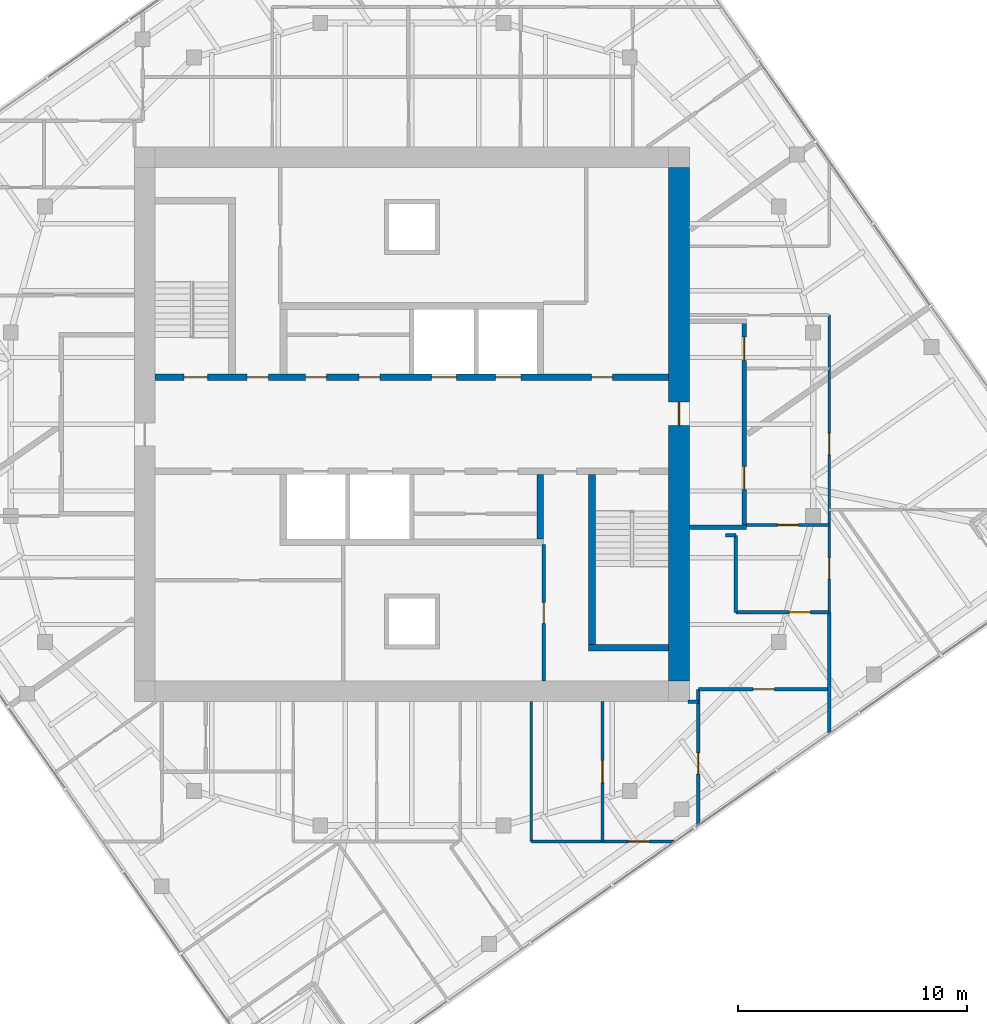
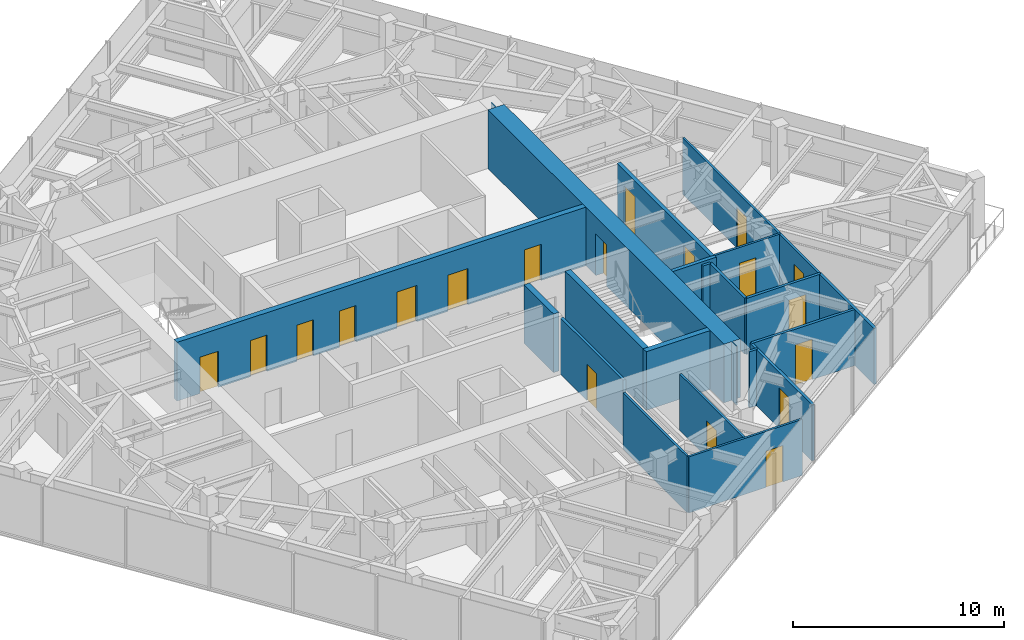
# One storey, part 9 of 13: 20 walls, 19 doors, 19 openings.
"""IFC4 building model written with IfcOpenShell, lengths in metres."""

from ifc_helpers import new_model, si_unit, direction, frame, frame_2d, origin, place, context, subcontext, project, spatial, polyline, rectangle, outline, extrude, material, layer, layer_set, type_object, element, fill, save


model = new_model("IFC4")

# Units and contexts
model_context = context("Model", 3, precision=1e-05, world=origin(), true_north=direction((0.0, 1.0)))
body_context = subcontext(model_context, "Body", "Model", "MODEL_VIEW")
ifc_project = project(units=[si_unit("LENGTHUNIT", "METRE"), si_unit("AREAUNIT", "SQUARE_METRE"), si_unit("VOLUMEUNIT", "CUBIC_METRE"), si_unit("PLANEANGLEUNIT", "RADIAN"), si_unit("MASSUNIT", "GRAM", prefix="KILO")], contexts=[model_context])

# Site, building, storey
site_placement = place(None, origin())
site = spatial("IfcSite", under=ifc_project, at=site_placement, CompositionType="ELEMENT")
building_placement = place(site_placement, origin())
building = spatial("IfcBuilding", under=site, at=building_placement, Name="Torsade Residences", CompositionType="ELEMENT")
storey_placement = place(building_placement, frame((0.0, 0.0, 260.800048828125)))
storey = spatial("IfcBuildingStorey", under=building, at=storey_placement, Name="L72", CompositionType="ELEMENT", Elevation=260.800048828125)

# Wall, openings, doors
ifc_material_1 = material(Name="Concrete 80 MPa", Category="concrete")
ifc_layer_1 = layer(ifc_material_1, 0.300048828125)
ifc_layer_set_1 = layer_set([ifc_layer_1], Name="Concrete 80 MPa")
wall_type_1 = type_object("IfcWallType", Name="CORE INTERNAL WALL 300", PredefinedType="SHEAR", material=ifc_layer_set_1)
wall_1_placement = place(storey_placement, frame((28.800048828125, 32.050048828125, 0.0), z_axis=(0.0, 0.0, 1.0), x_axis=(1.0, 0.0, 0.0)))
wall_1 = element("IfcWall", 1, at=wall_1_placement, inside=storey, type_object=wall_type_1, Name="Core wall LN L72", PredefinedType="SHEAR", context=body_context, shape_type="SweptSolid", body=[
    extrude(rectangle(XDim=22.39990234375, YDim=0.300048828125, at=frame_2d((11.199951171875, 0.0))), origin(), (0.0, 0.0, 1.0), 3.39990234375),
])
opening_1_placement = place(wall_1_placement, frame((19.0400390625, 0.0, 0.0)))
opening_1 = element("IfcOpeningElement", 2, at=opening_1_placement, cuts=wall_1, Name="Opening D06", PredefinedType="OPENING", context=body_context, shape_type="SweptSolid", body=[
    extrude(rectangle(XDim=0.919921875, YDim=2.10009765625, at=frame_2d((0.4599609375, 1.050048828125))), frame((0.0, 0.159912109375, 0.0), z_axis=(0.0, -1.0, 0.0), x_axis=(1.0, 0.0, 0.0)), (0.0, 0.0, 1.0), 0.320068359375),
])
opening_2_placement = place(wall_1_placement, frame((1.264892578125, 0.0, 0.0)))
opening_2 = element("IfcOpeningElement", 3, at=opening_2_placement, cuts=wall_1, Name="Opening D03", PredefinedType="OPENING", context=body_context, shape_type="SweptSolid", body=[
    extrude(rectangle(XDim=1.02001953125, YDim=2.10009765625, at=frame_2d((0.510009765625, 1.050048828125))), frame((0.0, 0.159912109375, 0.0), z_axis=(0.0, -1.0, 0.0), x_axis=(1.0, 0.0, 0.0)), (0.0, 0.0, 1.0), 0.320068359375),
])
opening_3_placement = place(wall_1_placement, frame((4.014892578125, 0.0, 0.0)))
opening_3 = element("IfcOpeningElement", 4, at=opening_3_placement, cuts=wall_1, Name="Opening D06", PredefinedType="OPENING", context=body_context, shape_type="SweptSolid", body=[
    extrude(rectangle(XDim=0.919921875, YDim=2.10009765625, at=frame_2d((0.4599609375, 1.050048828125))), frame((0.0, 0.159912109375, 0.0), z_axis=(0.0, -1.0, 0.0), x_axis=(1.0, 0.0, 0.0)), (0.0, 0.0, 1.0), 0.320068359375),
])
opening_4_placement = place(wall_1_placement, frame((6.56494140625, 0.0, 0.0)))
opening_4 = element("IfcOpeningElement", 5, at=opening_4_placement, cuts=wall_1, Name="Opening D06", PredefinedType="OPENING", context=body_context, shape_type="SweptSolid", body=[
    extrude(rectangle(XDim=0.919921875, YDim=2.10009765625, at=frame_2d((0.4599609375, 1.050048828125))), frame((0.0, 0.159912109375, 0.0), z_axis=(0.0, -1.0, 0.0), x_axis=(1.0, 0.0, 0.0)), (0.0, 0.0, 1.0), 0.320068359375),
])
opening_5_placement = place(wall_1_placement, frame((8.889892578125, 0.0, 0.0)))
opening_5 = element("IfcOpeningElement", 6, at=opening_5_placement, cuts=wall_1, Name="Opening D06", PredefinedType="OPENING", context=body_context, shape_type="SweptSolid", body=[
    extrude(rectangle(XDim=0.919921875, YDim=2.10009765625, at=frame_2d((0.4599609375, 1.050048828125))), frame((0.0, 0.159912109375, 0.0), z_axis=(0.0, -1.0, 0.0), x_axis=(1.0, 0.0, 0.0)), (0.0, 0.0, 1.0), 0.320068359375),
])
opening_6_placement = place(wall_1_placement, frame((12.050048828125, 0.0, 0.0)))
opening_6 = element("IfcOpeningElement", 7, at=opening_6_placement, cuts=wall_1, Name="Opening LD", PredefinedType="OPENING", context=body_context, shape_type="SweptSolid", body=[
    extrude(rectangle(XDim=1.10009765625, YDim=2.10009765625, at=frame_2d((0.550048828125, 1.050048828125))), frame((0.0, 0.159912109375, 0.0), z_axis=(0.0, -1.0, 0.0), x_axis=(1.0, 0.0, 0.0)), (0.0, 0.0, 1.0), 0.320068359375),
])
opening_7_placement = place(wall_1_placement, frame((14.85009765625, 0.0, 0.0)))
opening_7 = element("IfcOpeningElement", 8, at=opening_7_placement, cuts=wall_1, Name="Opening LD", PredefinedType="OPENING", context=body_context, shape_type="SweptSolid", body=[
    extrude(rectangle(XDim=1.10009765625, YDim=2.10009765625, at=frame_2d((0.550048828125, 1.050048828125))), frame((0.0, 0.159912109375, 0.0), z_axis=(0.0, -1.0, 0.0), x_axis=(1.0, 0.0, 0.0)), (0.0, 0.0, 1.0), 0.320068359375),
])
ifc_material_2 = material(Name="Steel-framed fire door", Category="steel")
door_type_1 = type_object("IfcDoorType", Name="FIRE DOOR 1020", OperationType="NOTDEFINED", PredefinedType="DOOR", material=ifc_material_2)
door_1_placement = place(opening_2_placement, origin())
door_1 = element("IfcDoor", 9, at=door_1_placement, inside=storey, type_object=door_type_1, Name="Exit door to fire-isolated stair ST1 L72", OperationType="SINGLE_SWING_RIGHT", OverallHeight=2.10009765625, OverallWidth=1.02001953125, PredefinedType="DOOR", context=body_context, shape_type="SweptSolid", body=[
    extrude(rectangle(XDim=1.02001953125, YDim=2.10009765625, at=frame_2d((0.510009765625, 1.050048828125))), frame((0.0, 0.02490234375, 0.0), z_axis=(0.0, -1.0, 0.0), x_axis=(1.0, 0.0, 0.0)), (0.0, 0.0, 1.0), 0.050048828125),
])
fill(opening_2, door_1)
ifc_material_3 = material(Name="Steel-framed fire door", Category="steel")
door_type_2 = type_object("IfcDoorType", Name="FIRE DOOR 920", OperationType="NOTDEFINED", PredefinedType="DOOR", material=ifc_material_3)
door_2_placement = place(opening_1_placement, origin())
door_2 = element("IfcDoor", 10, at=door_2_placement, inside=storey, type_object=door_type_2, Name="Door Lift lobby to Refuse room", OperationType="SINGLE_SWING_LEFT", OverallHeight=2.10009765625, OverallWidth=0.919921875, PredefinedType="DOOR", context=body_context, shape_type="SweptSolid", body=[
    extrude(rectangle(XDim=0.919921875, YDim=2.10009765625, at=frame_2d((0.4599609375, 1.050048828125))), frame((0.0, 0.02490234375, 0.0), z_axis=(0.0, -1.0, 0.0), x_axis=(1.0, 0.0, 0.0)), (0.0, 0.0, 1.0), 0.050048828125),
])
fill(opening_1, door_2)
door_3_placement = place(opening_3_placement, origin())
door_3 = element("IfcDoor", 11, at=door_3_placement, inside=storey, type_object=door_type_2, Name="Door Lift lobby to Meter store", OperationType="SINGLE_SWING_LEFT", OverallHeight=2.10009765625, OverallWidth=0.919921875, PredefinedType="DOOR", context=body_context, shape_type="SweptSolid", body=[
    extrude(rectangle(XDim=0.919921875, YDim=2.10009765625, at=frame_2d((0.4599609375, 1.050048828125))), frame((0.0, 0.02490234375, 0.0), z_axis=(0.0, -1.0, 0.0), x_axis=(1.0, 0.0, 0.0)), (0.0, 0.0, 1.0), 0.050048828125),
])
fill(opening_3, door_3)
door_4_placement = place(opening_4_placement, origin())
door_4 = element("IfcDoor", 12, at=door_4_placement, inside=storey, type_object=door_type_2, Name="Door Lift lobby to Residents storage L72A", OperationType="SINGLE_SWING_RIGHT", OverallHeight=2.10009765625, OverallWidth=0.919921875, PredefinedType="DOOR", context=body_context, shape_type="SweptSolid", body=[
    extrude(rectangle(XDim=0.919921875, YDim=2.10009765625, at=frame_2d((0.4599609375, 1.050048828125))), frame((0.0, 0.02490234375, 0.0), z_axis=(0.0, -1.0, 0.0), x_axis=(1.0, 0.0, 0.0)), (0.0, 0.0, 1.0), 0.050048828125),
])
fill(opening_4, door_4)
door_5_placement = place(opening_5_placement, origin())
door_5 = element("IfcDoor", 13, at=door_5_placement, inside=storey, type_object=door_type_2, Name="Door Lift lobby to Residents storage L72A", OperationType="SINGLE_SWING_LEFT", OverallHeight=2.10009765625, OverallWidth=0.919921875, PredefinedType="DOOR", context=body_context, shape_type="SweptSolid", body=[
    extrude(rectangle(XDim=0.919921875, YDim=2.10009765625, at=frame_2d((0.4599609375, 1.050048828125))), frame((0.0, 0.02490234375, 0.0), z_axis=(0.0, -1.0, 0.0), x_axis=(1.0, 0.0, 0.0)), (0.0, 0.0, 1.0), 0.050048828125),
])
fill(opening_5, door_5)
ifc_material_4 = material(Name="Stainless steel lift landing door", Category="steel")
door_type_3 = type_object("IfcDoorType", Name="LIFT LANDING DOOR 1100", OperationType="SLIDING_TO_LEFT", PredefinedType="DOOR", material=ifc_material_4)
door_6_placement = place(opening_6_placement, origin())
door_6 = element("IfcDoor", 14, at=door_6_placement, inside=storey, type_object=door_type_3, Name="Lift LA3 landing door L72", OperationType="SLIDING_TO_LEFT", OverallHeight=2.10009765625, OverallWidth=1.10009765625, PredefinedType="DOOR", context=body_context, shape_type="SweptSolid", body=[
    extrude(rectangle(XDim=1.10009765625, YDim=2.10009765625, at=frame_2d((0.550048828125, 1.050048828125))), frame((0.0, 0.02490234375, 0.0), z_axis=(0.0, -1.0, 0.0), x_axis=(1.0, 0.0, 0.0)), (0.0, 0.0, 1.0), 0.050048828125),
])
fill(opening_6, door_6)
door_7_placement = place(opening_7_placement, origin())
door_7 = element("IfcDoor", 15, at=door_7_placement, inside=storey, type_object=door_type_3, Name="Lift FL1 landing door L72", OperationType="SLIDING_TO_LEFT", OverallHeight=2.10009765625, OverallWidth=1.10009765625, PredefinedType="DOOR", context=body_context, shape_type="SweptSolid", body=[
    extrude(rectangle(XDim=1.10009765625, YDim=2.10009765625, at=frame_2d((0.550048828125, 1.050048828125))), frame((0.0, 0.02490234375, 0.0), z_axis=(0.0, -1.0, 0.0), x_axis=(1.0, 0.0, 0.0)), (0.0, 0.0, 1.0), 0.050048828125),
])
fill(opening_7, door_7)

# Walls
wall_2_placement = place(storey_placement, frame((45.60009765625, 27.800048828125, 0.0), z_axis=(0.0, 0.0, 1.0), x_axis=(0.0, -1.0, 0.0)))
element("IfcWall", 16, at=wall_2_placement, inside=storey, type_object=wall_type_1, Name="Core wall DS0 L72", PredefinedType="SHEAR", context=body_context, shape_type="SweptSolid", body=[
    extrude(rectangle(XDim=2.800048828125, YDim=0.300048828125, at=frame_2d((1.39990234375, 0.0))), origin(), (0.0, 0.0, 1.0), 3.39990234375),
])
wall_3_placement = place(storey_placement, frame((47.85009765625, 27.800048828125, 0.0), z_axis=(0.0, 0.0, 1.0), x_axis=(0.0, -1.0, 0.0)))
element("IfcWall", 17, at=wall_3_placement, inside=storey, type_object=wall_type_1, Name="Core wall ST2W L72", PredefinedType="SHEAR", context=body_context, shape_type="SweptSolid", body=[
    extrude(rectangle(XDim=7.699951171875, YDim=0.300048828125, at=frame_2d((3.85009765625, 0.0))), origin(), (0.0, 0.0, 1.0), 3.39990234375),
])
wall_4_placement = place(storey_placement, frame((51.199951171875, 20.25, 0.0), z_axis=(0.0, 0.0, 1.0), x_axis=(-1.0, 0.0, 0.0)))
element("IfcWall", 18, at=wall_4_placement, inside=storey, type_object=wall_type_1, Name="Core wall ST2S L72", PredefinedType="SHEAR", context=body_context, shape_type="SweptSolid", body=[
    extrude(rectangle(XDim=3.5, YDim=0.300048828125, at=frame_2d((1.75, 0.0))), origin(), (0.0, 0.0, 1.0), 3.39990234375),
])

# Wall, opening, door
ifc_material_5 = material(Name="Concrete 80 MPa", Category="concrete")
ifc_layer_2 = layer(ifc_material_5, 0.89990234375)
ifc_layer_set_2 = layer_set([ifc_layer_2], Name="Concrete 80 MPa")
wall_type_2 = type_object("IfcWallType", Name="CORE WALL 900", PredefinedType="SHEAR", material=ifc_layer_set_2)
wall_5_placement = place(storey_placement, frame((51.64990234375, 18.800048828125, 0.0), z_axis=(0.0, 0.0, 1.0), x_axis=(0.0, 1.0, 0.0)))
wall_5 = element("IfcWall", 19, at=wall_5_placement, inside=storey, type_object=wall_type_2, Name="Core wall E L72", PredefinedType="SHEAR", context=body_context, shape_type="SweptSolid", body=[
    extrude(outline(polyline([(0.0, -0.449951171875), (22.39990234375, -0.449951171875), (22.39990234375, -0.02490234375), (22.849853515625, -0.02490234375), (22.849853515625, 0.02490234375), (22.39990234375, 0.02490234375), (22.39990234375, 0.449951171875), (0.0, 0.449951171875), (0.0, 0.02490234375), (-0.449951171875, 0.02490234375), (-0.449951171875, -0.02490234375), (0.0, -0.02490234375), (0.0, -0.449951171875)])), origin(), (0.0, 0.0, 1.0), 3.39990234375),
])
opening_8_placement = place(wall_5_placement, frame((11.139892578125, 0.0, 0.0)))
opening_8 = element("IfcOpeningElement", 20, at=opening_8_placement, cuts=wall_5, Name="Opening D04", PredefinedType="OPENING", context=body_context, shape_type="SweptSolid", body=[
    extrude(rectangle(XDim=1.02001953125, YDim=2.39990234375, at=frame_2d((0.510009765625, 1.199951171875))), frame((0.0, 0.4599609375, 0.0), z_axis=(0.0, -1.0, 0.0), x_axis=(1.0, 0.0, 0.0)), (0.0, 0.0, 1.0), 0.919921875),
])
ifc_material_6 = material(Name="Steel-framed fire door", Category="steel")
door_type_4 = type_object("IfcDoorType", Name="LOBBY SMOKE DOOR 1020x2400", OperationType="NOTDEFINED", PredefinedType="DOOR", material=ifc_material_6)
door_8_placement = place(opening_8_placement, origin())
door_8 = element("IfcDoor", 21, at=door_8_placement, inside=storey, type_object=door_type_4, Name="Lift lobby door E L72", OperationType="SINGLE_SWING_LEFT", OverallHeight=2.39990234375, OverallWidth=1.02001953125, PredefinedType="DOOR", context=body_context, shape_type="SweptSolid", body=[
    extrude(rectangle(XDim=1.02001953125, YDim=2.39990234375, at=frame_2d((0.510009765625, 1.199951171875))), frame((0.0, 0.02490234375, 0.0), z_axis=(0.0, -1.0, 0.0), x_axis=(1.0, 0.0, 0.0)), (0.0, 0.0, 1.0), 0.050048828125),
])
fill(opening_8, door_8)

# Wall, openings, doors
ifc_material_7 = material(Name="Plasterboard on steel stud", Category="steel")
ifc_layer_3 = layer(ifc_material_7, 0.199951171875)
ifc_layer_set_3 = layer_set([ifc_layer_3], Name="Plasterboard on steel stud")
wall_type_3 = type_object("IfcWallType", Name="CORRIDOR WALL 200", PredefinedType="PARTITIONING", material=ifc_layer_set_3)
wall_6_placement = place(storey_placement, frame((54.5, 25.5, 0.0), z_axis=(0.0, 0.0, 1.0), x_axis=(0.0, 1.0, 0.0)))
wall_6 = element("IfcWall", 22, at=wall_6_placement, inside=storey, type_object=wall_type_3, Name="Corridor wall L72", PredefinedType="PARTITIONING", context=body_context, shape_type="SweptSolid", body=[
    extrude(rectangle(XDim=9.0, YDim=0.199951171875, at=frame_2d((4.5, 0.0))), origin(), (0.0, 0.0, 1.0), 3.25),
])
opening_9_placement = place(wall_6_placement, frame((1.643310546875, 0.0, 0.0)))
opening_9 = element("IfcOpeningElement", 23, at=opening_9_placement, cuts=wall_6, Name="Opening D01", PredefinedType="OPENING", context=body_context, shape_type="SweptSolid", body=[
    extrude(rectangle(XDim=1.02001953125, YDim=2.340087890625, at=frame_2d((0.510009765625, 1.169921875))), frame((0.0, 0.10986328125, 0.0), z_axis=(0.0, -1.0, 0.0), x_axis=(1.0, 0.0, 0.0)), (0.0, 0.0, 1.0), 0.219970703125),
])
opening_10_placement = place(wall_6_placement, frame((7.2822265625, 0.0, 0.0)))
opening_10 = element("IfcOpeningElement", 24, at=opening_10_placement, cuts=wall_6, Name="Opening D01", PredefinedType="OPENING", context=body_context, shape_type="SweptSolid", body=[
    extrude(rectangle(XDim=1.02001953125, YDim=2.340087890625, at=frame_2d((0.510009765625, 1.169921875))), frame((0.0, 0.10986328125, 0.0), z_axis=(0.0, -1.0, 0.0), x_axis=(1.0, 0.0, 0.0)), (0.0, 0.0, 1.0), 0.219970703125),
])
ifc_material_8 = material(Name="Solid-core timber fire door", Category="wood")
door_type_5 = type_object("IfcDoorType", Name="APARTMENT ENTRY DOOR 1020x2340", OperationType="NOTDEFINED", PredefinedType="DOOR", material=ifc_material_8)
door_9_placement = place(opening_9_placement, origin())
door_9 = element("IfcDoor", 25, at=door_9_placement, inside=storey, type_object=door_type_5, Name="Door Residential corridor to Kitchen and dining", OperationType="SINGLE_SWING_LEFT", OverallHeight=2.340087890625, OverallWidth=1.02001953125, PredefinedType="DOOR", context=body_context, shape_type="SweptSolid", body=[
    extrude(rectangle(XDim=1.02001953125, YDim=2.340087890625, at=frame_2d((0.510009765625, 1.169921875))), frame((0.0, 0.02490234375, 0.0), z_axis=(0.0, -1.0, 0.0), x_axis=(1.0, 0.0, 0.0)), (0.0, 0.0, 1.0), 0.050048828125),
])
fill(opening_9, door_9)
door_10_placement = place(opening_10_placement, origin())
door_10 = element("IfcDoor", 26, at=door_10_placement, inside=storey, type_object=door_type_5, Name="Door Residential corridor to Kitchen and dining", OperationType="SINGLE_SWING_RIGHT", OverallHeight=2.340087890625, OverallWidth=1.02001953125, PredefinedType="DOOR", context=body_context, shape_type="SweptSolid", body=[
    extrude(rectangle(XDim=1.02001953125, YDim=2.340087890625, at=frame_2d((0.510009765625, 1.169921875))), frame((0.0, 0.02490234375, 0.0), z_axis=(0.0, -1.0, 0.0), x_axis=(1.0, 0.0, 0.0)), (0.0, 0.0, 1.0), 0.050048828125),
])
fill(opening_10, door_10)

# Wall
wall_7_placement = place(storey_placement, frame((52.10009765625, 25.5, 0.0), z_axis=(0.0, 0.0, 1.0), x_axis=(1.0, 0.0, 0.0)))
element("IfcWall", 27, at=wall_7_placement, inside=storey, type_object=wall_type_3, Name="Corridor wall L72", PredefinedType="PARTITIONING", context=body_context, shape_type="SweptSolid", body=[
    extrude(rectangle(XDim=2.5, YDim=0.199951171875, at=frame_2d((1.25, 0.0))), origin(), (0.0, 0.0, 1.0), 3.25),
])

# Wall, opening, door
ifc_material_9 = material(Name="Plasterboard on steel stud", Category="steel")
ifc_layer_4 = layer(ifc_material_9, 0.1201171875)
ifc_layer_set_4 = layer_set([ifc_layer_4], Name="Plasterboard on steel stud")
wall_type_4 = type_object("IfcWallType", Name="PARTITION 120", PredefinedType="PARTITIONING", material=ifc_layer_set_4)
wall_8_placement = place(storey_placement, frame((58.199951171875, 25.602783203125, 0.0), z_axis=(0.0, 0.0, 1.0), x_axis=(-1.0, 0.0, 0.0)))
wall_8 = element("IfcWall", 28, at=wall_8_placement, inside=storey, type_object=wall_type_4, Name="Partition L72", PredefinedType="PARTITIONING", context=body_context, shape_type="SweptSolid", body=[
    extrude(rectangle(XDim=3.599853515625, YDim=0.1201171875, at=frame_2d((1.7998046875, 0.0))), origin(), (0.0, 0.0, 1.0), 3.25),
])
opening_11_placement = place(wall_8_placement, frame((1.340087890625, 0.0, 0.0)))
opening_11 = element("IfcOpeningElement", 29, at=opening_11_placement, cuts=wall_8, Name="Opening D02", PredefinedType="OPENING", context=body_context, shape_type="SweptSolid", body=[
    extrude(rectangle(XDim=0.919921875, YDim=2.340087890625, at=frame_2d((0.4599609375, 1.169921875))), frame((0.0, 0.070068359375, 0.0), z_axis=(0.0, -1.0, 0.0), x_axis=(1.0, 0.0, 0.0)), (0.0, 0.0, 1.0), 0.14013671875),
])
ifc_material_10 = material(Name="Hollow-core timber door", Category="wood")
door_type_6 = type_object("IfcDoorType", Name="INTERNAL DOOR 920x2340", OperationType="NOTDEFINED", PredefinedType="DOOR", material=ifc_material_10)
door_11_placement = place(opening_11_placement, origin())
door_11 = element("IfcDoor", 30, at=door_11_placement, inside=storey, type_object=door_type_6, Name="Door Kitchen and dining to Walk-in robe", OperationType="SINGLE_SWING_LEFT", OverallHeight=2.340087890625, OverallWidth=0.919921875, PredefinedType="DOOR", context=body_context, shape_type="SweptSolid", body=[
    extrude(rectangle(XDim=0.919921875, YDim=2.340087890625, at=frame_2d((0.4599609375, 1.169921875))), frame((0.0, 0.02490234375, 0.0), z_axis=(0.0, -1.0, 0.0), x_axis=(1.0, 0.0, 0.0)), (0.0, 0.0, 1.0), 0.050048828125),
])
fill(opening_11, door_11)

# Wall, openings, doors
wall_9_placement = place(storey_placement, frame((58.199951171875, 34.760009765625, 0.0), z_axis=(0.0, 0.0, 1.0), x_axis=(0.0, -1.0, 0.0)))
wall_9 = element("IfcWall", 31, at=wall_9_placement, inside=storey, type_object=wall_type_4, Name="Partition L72", PredefinedType="PARTITIONING", context=body_context, shape_type="SweptSolid", body=[
    extrude(rectangle(XDim=12.9638671875, YDim=0.1201171875, at=frame_2d((6.48193359375, 0.0))), origin(), (0.0, 0.0, 1.0), 3.25),
])
opening_12_placement = place(wall_9_placement, frame((5.16162109375, 0.0, 0.0)))
opening_12 = element("IfcOpeningElement", 32, at=opening_12_placement, cuts=wall_9, Name="Opening D02", PredefinedType="OPENING", context=body_context, shape_type="SweptSolid", body=[
    extrude(rectangle(XDim=0.919921875, YDim=2.340087890625, at=frame_2d((0.4599609375, 1.169921875))), frame((0.0, 0.070068359375, 0.0), z_axis=(0.0, -1.0, 0.0), x_axis=(1.0, 0.0, 0.0)), (0.0, 0.0, 1.0), 0.14013671875),
])
opening_13_placement = place(wall_9_placement, frame((10.600341796875, 0.0, 0.0)))
opening_13 = element("IfcOpeningElement", 33, at=opening_13_placement, cuts=wall_9, Name="Opening D02", PredefinedType="OPENING", context=body_context, shape_type="SweptSolid", body=[
    extrude(rectangle(XDim=0.919921875, YDim=2.340087890625, at=frame_2d((0.4599609375, 1.169921875))), frame((0.0, 0.070068359375, 0.0), z_axis=(0.0, -1.0, 0.0), x_axis=(1.0, 0.0, 0.0)), (0.0, 0.0, 1.0), 0.14013671875),
])
door_12_placement = place(opening_12_placement, origin())
door_12 = element("IfcDoor", 34, at=door_12_placement, inside=storey, type_object=door_type_6, Name="Door Kitchen and dining to Living room", OperationType="SINGLE_SWING_RIGHT", OverallHeight=2.340087890625, OverallWidth=0.919921875, PredefinedType="DOOR", context=body_context, shape_type="SweptSolid", body=[
    extrude(rectangle(XDim=0.919921875, YDim=2.340087890625, at=frame_2d((0.4599609375, 1.169921875))), frame((0.0, 0.02490234375, 0.0), z_axis=(0.0, -1.0, 0.0), x_axis=(1.0, 0.0, 0.0)), (0.0, 0.0, 1.0), 0.050048828125),
])
fill(opening_12, door_12)
door_13_placement = place(opening_13_placement, origin())
door_13 = element("IfcDoor", 35, at=door_13_placement, inside=storey, type_object=door_type_6, Name="Door Walk-in robe to Bedroom 4", OperationType="SINGLE_SWING_LEFT", OverallHeight=2.340087890625, OverallWidth=0.919921875, PredefinedType="DOOR", context=body_context, shape_type="SweptSolid", body=[
    extrude(rectangle(XDim=0.919921875, YDim=2.340087890625, at=frame_2d((0.4599609375, 1.169921875))), frame((0.0, 0.02490234375, 0.0), z_axis=(0.0, -1.0, 0.0), x_axis=(1.0, 0.0, 0.0)), (0.0, 0.0, 1.0), 0.050048828125),
])
fill(opening_13, door_13)

# Wall, opening, door
wall_10_placement = place(storey_placement, frame((48.311279296875, 17.89990234375, 0.0), z_axis=(0.0, 0.0, 1.0), x_axis=(0.0, -1.0, 0.0)))
wall_10 = element("IfcWall", 36, at=wall_10_placement, inside=storey, type_object=wall_type_4, Name="Partition L72", PredefinedType="PARTITIONING", context=body_context, shape_type="SweptSolid", body=[
    extrude(rectangle(XDim=6.099853515625, YDim=0.1201171875, at=frame_2d((3.0498046875, 0.0))), origin(), (0.0, 0.0, 1.0), 3.25),
])
opening_14_placement = place(wall_10_placement, frame((2.570068359375, 0.0, 0.0)))
opening_14 = element("IfcOpeningElement", 37, at=opening_14_placement, cuts=wall_10, Name="Opening D05", PredefinedType="OPENING", context=body_context, shape_type="SweptSolid", body=[
    extrude(rectangle(XDim=0.9599609375, YDim=2.10009765625, at=frame_2d((0.47998046875, 1.050048828125))), frame((0.0, 0.070068359375, 0.0), z_axis=(0.0, -1.0, 0.0), x_axis=(1.0, 0.0, 0.0)), (0.0, 0.0, 1.0), 0.14013671875),
])
ifc_material_11 = material(Name="Hollow-core timber door in a steel cavity frame", Category="steel")
door_type_7 = type_object("IfcDoorType", Name="BATHROOM CAVITY SLIDING DOOR 960", OperationType="SLIDING_TO_LEFT", PredefinedType="DOOR", material=ifc_material_11)
door_14_placement = place(opening_14_placement, origin())
door_14 = element("IfcDoor", 38, at=door_14_placement, inside=storey, type_object=door_type_7, Name="Door Study to Laundry", OperationType="SLIDING_TO_LEFT", OverallHeight=2.10009765625, OverallWidth=0.9599609375, PredefinedType="DOOR", context=body_context, shape_type="SweptSolid", body=[
    extrude(rectangle(XDim=0.9599609375, YDim=2.10009765625, at=frame_2d((0.47998046875, 1.050048828125))), frame((0.0, 0.02490234375, 0.0), z_axis=(0.0, -1.0, 0.0), x_axis=(1.0, 0.0, 0.0)), (0.0, 0.0, 1.0), 0.050048828125),
])
fill(opening_14, door_14)

wall_11_placement = place(storey_placement, frame((51.422119140625, 11.800048828125, 0.0), z_axis=(0.0, 0.0, 1.0), x_axis=(-1.0, 0.0, 0.0)))
wall_11 = element("IfcWall", 39, at=wall_11_placement, inside=storey, type_object=wall_type_4, Name="Partition L72", PredefinedType="PARTITIONING", context=body_context, shape_type="SweptSolid", body=[
    extrude(rectangle(XDim=6.212646484375, YDim=0.1201171875, at=frame_2d((3.1064453125, 0.0))), origin(), (0.0, 0.0, 1.0), 3.25),
])
opening_15_placement = place(wall_11_placement, frame((1.060546875, 0.0, 0.0)))
opening_15 = element("IfcOpeningElement", 40, at=opening_15_placement, cuts=wall_11, Name="Opening D02L", PredefinedType="OPENING", context=body_context, shape_type="SweptSolid", body=[
    extrude(rectangle(XDim=0.919921875, YDim=2.10009765625, at=frame_2d((0.4599609375, 1.050048828125))), frame((0.0, 0.070068359375, 0.0), z_axis=(0.0, -1.0, 0.0), x_axis=(1.0, 0.0, 0.0)), (0.0, 0.0, 1.0), 0.14013671875),
])
ifc_material_12 = material(Name="Hollow-core timber door", Category="wood")
door_type_8 = type_object("IfcDoorType", Name="INTERNAL DOOR 920x2100", OperationType="NOTDEFINED", PredefinedType="DOOR", material=ifc_material_12)
door_15_placement = place(opening_15_placement, origin())
door_15 = element("IfcDoor", 41, at=door_15_placement, inside=storey, type_object=door_type_8, Name="Door Study to Media room", OperationType="SINGLE_SWING_RIGHT", OverallHeight=2.10009765625, OverallWidth=0.919921875, PredefinedType="DOOR", context=body_context, shape_type="SweptSolid", body=[
    extrude(rectangle(XDim=0.919921875, YDim=2.10009765625, at=frame_2d((0.4599609375, 1.050048828125))), frame((0.0, 0.02490234375, 0.0), z_axis=(0.0, -1.0, 0.0), x_axis=(1.0, 0.0, 0.0)), (0.0, 0.0, 1.0), 0.050048828125),
])
fill(opening_15, door_15)

# Wall
wall_12_placement = place(storey_placement, frame((45.20947265625, 11.800048828125, 0.0), z_axis=(0.0, 0.0, 1.0), x_axis=(0.0, 1.0, 0.0)))
element("IfcWall", 42, at=wall_12_placement, inside=storey, type_object=wall_type_4, Name="Partition L72", PredefinedType="PARTITIONING", context=body_context, shape_type="SweptSolid", body=[
    extrude(rectangle(XDim=6.099853515625, YDim=0.1201171875, at=frame_2d((3.0498046875, 0.0))), origin(), (0.0, 0.0, 1.0), 3.25),
])

# Wall, opening, door
ifc_material_13 = material(Name="Reinforced blockwork", Category="masonry")
ifc_layer_5 = layer(ifc_material_13, 0.14990234375)
ifc_layer_set_5 = layer_set([ifc_layer_5], Name="Reinforced blockwork")
wall_type_5 = type_object("IfcWallType", Name="SERVICE ROOM WALL 150", PredefinedType="SOLIDWALL", material=ifc_layer_set_5)
wall_13_placement = place(storey_placement, frame((45.75, 18.800048828125, 0.0), z_axis=(0.0, 0.0, 1.0), x_axis=(0.0, 1.0, 0.0)))
wall_13 = element("IfcWall", 43, at=wall_13_placement, inside=storey, type_object=wall_type_5, Name="Service room wall L72", PredefinedType="SOLIDWALL", context=body_context, shape_type="SweptSolid", body=[
    extrude(rectangle(XDim=5.949951171875, YDim=0.14990234375, at=frame_2d((2.97509765625, 0.0))), origin(), (0.0, 0.0, 1.0), 3.25),
])
opening_16_placement = place(wall_13_placement, frame((2.514892578125, 0.0, 0.0)))
opening_16 = element("IfcOpeningElement", 44, at=opening_16_placement, cuts=wall_13, Name="Opening D06", PredefinedType="OPENING", context=body_context, shape_type="SweptSolid", body=[
    extrude(rectangle(XDim=0.919921875, YDim=2.10009765625, at=frame_2d((0.4599609375, 1.050048828125))), frame((0.0, 0.0849609375, 0.0), z_axis=(0.0, -1.0, 0.0), x_axis=(1.0, 0.0, 0.0)), (0.0, 0.0, 1.0), 0.169921875),
])
door_16_placement = place(opening_16_placement, origin())
door_16 = element("IfcDoor", 45, at=door_16_placement, inside=storey, type_object=door_type_2, Name="Door Communications equipment store to Communications riser room", OperationType="SINGLE_SWING_LEFT", OverallHeight=2.10009765625, OverallWidth=0.919921875, PredefinedType="DOOR", context=body_context, shape_type="SweptSolid", body=[
    extrude(rectangle(XDim=0.919921875, YDim=2.10009765625, at=frame_2d((0.4599609375, 1.050048828125))), frame((0.0, 0.02490234375, 0.0), z_axis=(0.0, -1.0, 0.0), x_axis=(1.0, 0.0, 0.0)), (0.0, 0.0, 1.0), 0.050048828125),
])
fill(opening_16, door_16)

wall_14_placement = place(storey_placement, frame((52.494140625, 18.439208984375, 0.0), z_axis=(0.0, 0.0, 1.0), x_axis=(0.0, -1.0, 0.0)))
wall_14 = element("IfcWall", 46, at=wall_14_placement, inside=storey, type_object=wall_type_5, Name="Service room wall L72", PredefinedType="SOLIDWALL", context=body_context, shape_type="SweptSolid", body=[
    extrude(rectangle(XDim=5.888427734375, YDim=0.14990234375, at=frame_2d((2.9443359375, 0.0))), origin(), (0.0, 0.0, 1.0), 3.25),
])
opening_17_placement = place(wall_14_placement, frame((2.7783203125, 0.0, 0.0)))
opening_17 = element("IfcOpeningElement", 47, at=opening_17_placement, cuts=wall_14, Name="Opening D02", PredefinedType="OPENING", context=body_context, shape_type="SweptSolid", body=[
    extrude(rectangle(XDim=0.919921875, YDim=2.340087890625, at=frame_2d((0.4599609375, 1.169921875))), frame((0.0, 0.0849609375, 0.0), z_axis=(0.0, -1.0, 0.0), x_axis=(1.0, 0.0, 0.0)), (0.0, 0.0, 1.0), 0.169921875),
])
door_17_placement = place(opening_17_placement, origin())
door_17 = element("IfcDoor", 48, at=door_17_placement, inside=storey, type_object=door_type_6, Name="Door Linen store 3 to Study", OperationType="SINGLE_SWING_LEFT", OverallHeight=2.340087890625, OverallWidth=0.919921875, PredefinedType="DOOR", context=body_context, shape_type="SweptSolid", body=[
    extrude(rectangle(XDim=0.919921875, YDim=2.340087890625, at=frame_2d((0.4599609375, 1.169921875))), frame((0.0, 0.02490234375, 0.0), z_axis=(0.0, -1.0, 0.0), x_axis=(1.0, 0.0, 0.0)), (0.0, 0.0, 1.0), 0.050048828125),
])
fill(opening_17, door_17)

# Walls
wall_15_placement = place(storey_placement, frame((52.050048828125, 17.89990234375, 0.0), z_axis=(0.0, 0.0, 1.0), x_axis=(1.0, 0.0, 0.0)))
element("IfcWall", 49, at=wall_15_placement, inside=storey, type_object=wall_type_5, Name="Service room wall L72", PredefinedType="SOLIDWALL", context=body_context, shape_type="SweptSolid", body=[
    extrude(rectangle(XDim=0.444091796875, YDim=0.14990234375, at=frame_2d((0.22216796875, 0.0))), origin(), (0.0, 0.0, 1.0), 3.25),
])
wall_16_placement = place(storey_placement, frame((58.199951171875, 21.796142578125, 0.0), z_axis=(0.0, 0.0, 1.0), x_axis=(0.0, -1.0, 0.0)))
element("IfcWall", 50, at=wall_16_placement, inside=storey, type_object=wall_type_5, Name="Service room wall L72", PredefinedType="SOLIDWALL", context=body_context, shape_type="SweptSolid", body=[
    extrude(rectangle(XDim=5.250244140625, YDim=0.14990234375, at=frame_2d((2.625, 0.0))), origin(), (0.0, 0.0, 1.0), 3.25),
])

# Wall, opening, door
wall_17_placement = place(storey_placement, frame((52.494140625, 18.439208984375, 0.0), z_axis=(0.0, 0.0, 1.0), x_axis=(1.0, 0.0, 0.0)))
wall_17 = element("IfcWall", 51, at=wall_17_placement, inside=storey, type_object=wall_type_5, Name="Service room wall L72", PredefinedType="SOLIDWALL", context=body_context, shape_type="SweptSolid", body=[
    extrude(rectangle(XDim=5.705810546875, YDim=0.14990234375, at=frame_2d((2.85302734375, 0.0))), origin(), (0.0, 0.0, 1.0), 3.25),
])
opening_18_placement = place(wall_17_placement, frame((2.392822265625, 0.0, 0.0)))
opening_18 = element("IfcOpeningElement", 52, at=opening_18_placement, cuts=wall_17, Name="Opening D02", PredefinedType="OPENING", context=body_context, shape_type="SweptSolid", body=[
    extrude(rectangle(XDim=0.919921875, YDim=2.340087890625, at=frame_2d((0.4599609375, 1.169921875))), frame((0.0, 0.0849609375, 0.0), z_axis=(0.0, -1.0, 0.0), x_axis=(1.0, 0.0, 0.0)), (0.0, 0.0, 1.0), 0.169921875),
])
door_18_placement = place(opening_18_placement, origin())
door_18 = element("IfcDoor", 53, at=door_18_placement, inside=storey, type_object=door_type_6, Name="Door Linen store 2 to Linen store 3", OperationType="SINGLE_SWING_RIGHT", OverallHeight=2.340087890625, OverallWidth=0.919921875, PredefinedType="DOOR", context=body_context, shape_type="SweptSolid", body=[
    extrude(rectangle(XDim=0.919921875, YDim=2.340087890625, at=frame_2d((0.4599609375, 1.169921875))), frame((0.0, 0.02490234375, 0.0), z_axis=(0.0, -1.0, 0.0), x_axis=(1.0, 0.0, 0.0)), (0.0, 0.0, 1.0), 0.050048828125),
])
fill(opening_18, door_18)

wall_18_placement = place(storey_placement, frame((58.199951171875, 21.796142578125, 0.0), z_axis=(0.0, 0.0, 1.0), x_axis=(-1.0, 0.0, 0.0)))
wall_18 = element("IfcWall", 54, at=wall_18_placement, inside=storey, type_object=wall_type_5, Name="Service room wall L72", PredefinedType="SOLIDWALL", context=body_context, shape_type="SweptSolid", body=[
    extrude(rectangle(XDim=4.066650390625, YDim=0.14990234375, at=frame_2d((2.033203125, 0.0))), origin(), (0.0, 0.0, 1.0), 3.25),
])
opening_19_placement = place(wall_18_placement, frame((0.8232421875, 0.0, 0.0)))
opening_19 = element("IfcOpeningElement", 55, at=opening_19_placement, cuts=wall_18, Name="Opening D02", PredefinedType="OPENING", context=body_context, shape_type="SweptSolid", body=[
    extrude(rectangle(XDim=0.919921875, YDim=2.340087890625, at=frame_2d((0.4599609375, 1.169921875))), frame((0.0, 0.0849609375, 0.0), z_axis=(0.0, -1.0, 0.0), x_axis=(1.0, 0.0, 0.0)), (0.0, 0.0, 1.0), 0.169921875),
])
door_19_placement = place(opening_19_placement, origin())
door_19 = element("IfcDoor", 56, at=door_19_placement, inside=storey, type_object=door_type_6, Name="Door Walk-in robe to Linen store 2", OperationType="SINGLE_SWING_LEFT", OverallHeight=2.340087890625, OverallWidth=0.919921875, PredefinedType="DOOR", context=body_context, shape_type="SweptSolid", body=[
    extrude(rectangle(XDim=0.919921875, YDim=2.340087890625, at=frame_2d((0.4599609375, 1.169921875))), frame((0.0, 0.02490234375, 0.0), z_axis=(0.0, -1.0, 0.0), x_axis=(1.0, 0.0, 0.0)), (0.0, 0.0, 1.0), 0.050048828125),
])
fill(opening_19, door_19)

# Walls
wall_19_placement = place(storey_placement, frame((54.13330078125, 21.796142578125, 0.0), z_axis=(0.0, 0.0, 1.0), x_axis=(0.0, 1.0, 0.0)))
element("IfcWall", 57, at=wall_19_placement, inside=storey, type_object=wall_type_5, Name="Service room wall L72", PredefinedType="SOLIDWALL", context=body_context, shape_type="SweptSolid", body=[
    extrude(rectangle(XDim=3.356689453125, YDim=0.14990234375, at=frame_2d((1.67822265625, 0.0))), origin(), (0.0, 0.0, 1.0), 3.25),
])
wall_20_placement = place(storey_placement, frame((54.13330078125, 25.15283203125, 0.0), z_axis=(0.0, 0.0, 1.0), x_axis=(-1.0, 0.0, 0.0)))
element("IfcWall", 58, at=wall_20_placement, inside=storey, type_object=wall_type_5, Name="Service room wall L72", PredefinedType="SOLIDWALL", context=body_context, shape_type="SweptSolid", body=[
    extrude(rectangle(XDim=0.449951171875, YDim=0.14990234375, at=frame_2d((0.22509765625, 0.0))), origin(), (0.0, 0.0, 1.0), 3.25),
])

save(model, "model.ifc")
